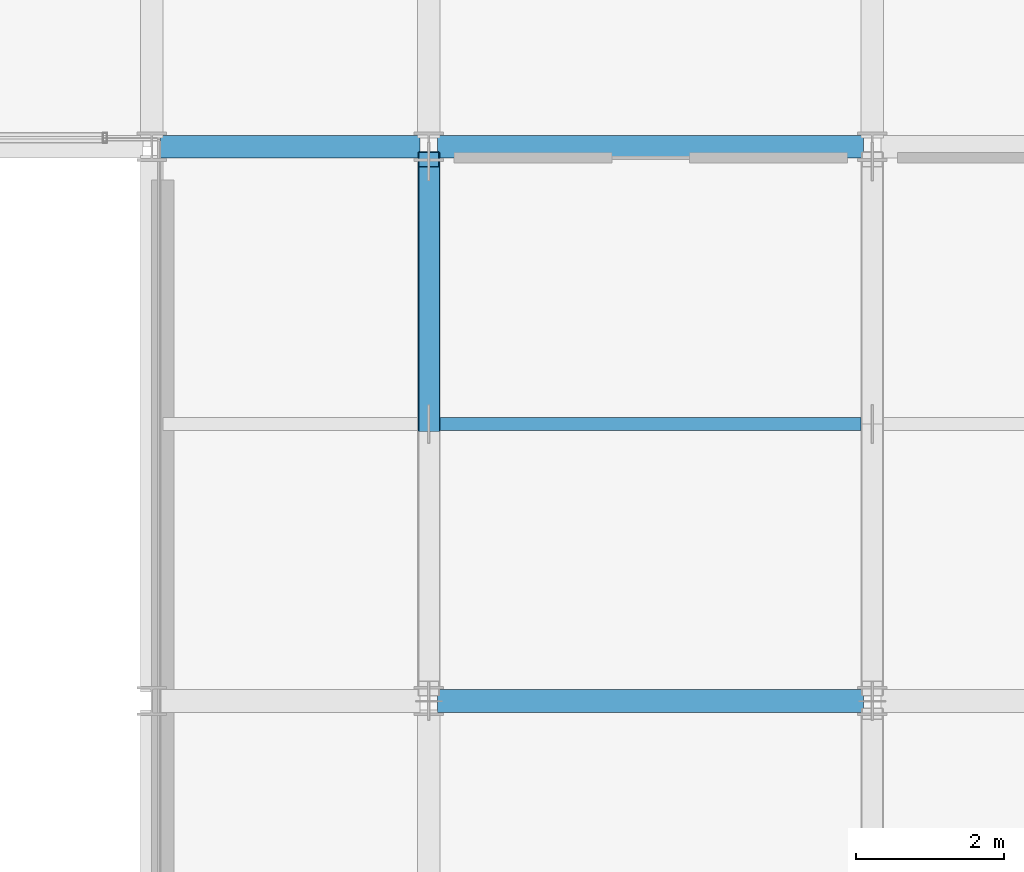
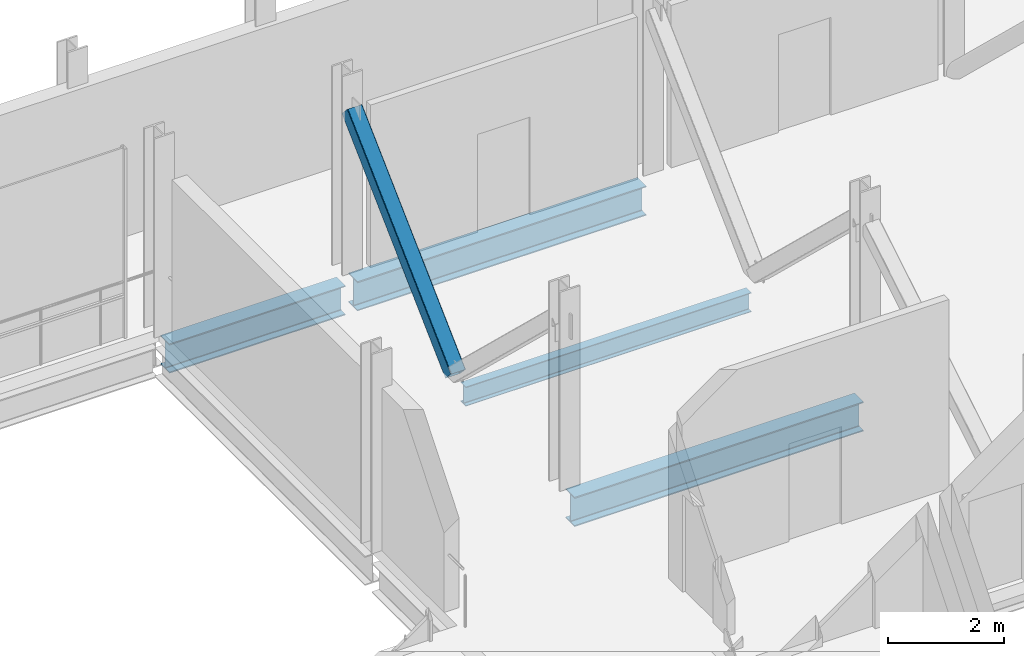
# One storey, part 19 of 33: 4 beams, 1 member.
"""IFC4 building model written with IfcOpenShell, lengths in metres."""

from ifc_helpers import new_model, si_unit, direction, frame, origin, origin_2d, place, context, subcontext, project, spatial, hollow_rectangle, i_section, extrude, material, material_profile, profile_set, type_object, element, save


model = new_model("IFC4")

# Units and contexts
model_context = context("Model", 3, precision=1e-05, world=origin(), true_north=direction((0.0, 1.0)))
body_context = subcontext(model_context, "Body", "Model", "MODEL_VIEW")
ifc_project = project(units=[si_unit("LENGTHUNIT", "METRE"), si_unit("AREAUNIT", "SQUARE_METRE"), si_unit("VOLUMEUNIT", "CUBIC_METRE"), si_unit("PLANEANGLEUNIT", "RADIAN"), si_unit("MASSUNIT", "GRAM", prefix="KILO")], contexts=[model_context])

# Site, building, storey
site_placement = place(None, origin())
site = spatial("IfcSite", under=ifc_project, at=site_placement, CompositionType="ELEMENT")
building_placement = place(site_placement, origin())
building = spatial("IfcBuilding", under=site, at=building_placement, Name="Brevholm Reach", CompositionType="ELEMENT")
storey_placement = place(building_placement, frame((0.0, 0.0, 179.0)))
storey = spatial("IfcBuildingStorey", under=building, at=storey_placement, Name="L54", CompositionType="ELEMENT", Elevation=179.0)

# Beams
ifc_material_1 = material(Name="Structural Steel S355J2", Category="steel")
ifc_material_profile_1 = material_profile(ifc_material_1, i_section(OverallWidth=0.177978515625, OverallDepth=0.406494140625, WebThickness=0.0078125, FlangeThickness=0.0126953125, FilletRadius=0.01025390625, at=origin_2d()), Name="UKB 406x178x60")
ifc_profile_set_1 = profile_set([ifc_material_profile_1], Name="Structural Steel S355J2")
beam_type_1 = type_object("IfcBeamType", Name="BM-B406", PredefinedType="BEAM", material=ifc_profile_set_1)
beam_1_placement = place(storey_placement, frame((42.153564453125, 19.75, -0.463134765625), z_axis=(1.0, 0.0, 0.0), x_axis=(0.0, 1.0, 0.0)))
element("IfcBeam", 1, at=beam_1_placement, inside=storey, type_object=beam_type_1, Name="L54 Composite Secondary Floor Beam", PredefinedType="BEAM", context=body_context, shape_type="SweptSolid", body=[
    extrude(i_section(OverallWidth=0.177978515625, OverallDepth=0.406494140625, WebThickness=0.0078125, FlangeThickness=0.0126953125, FilletRadius=0.01025390625, at=origin_2d()), origin(), (0.0, 0.0, 1.0), 5.69287109375),
])
ifc_material_2 = material(Name="Structural Steel S355J2", Category="steel")
ifc_material_profile_2 = material_profile(ifc_material_2, i_section(OverallWidth=0.30712890625, OverallDepth=0.6201171875, WebThickness=0.01416015625, FlangeThickness=0.023681640625, FilletRadius=0.0166015625, at=origin_2d()), Name="UKB 610x305x179")
ifc_profile_set_2 = profile_set([ifc_material_profile_2], Name="Structural Steel S355J2")
beam_type_2 = type_object("IfcBeamType", Name="BM-UKB610H", PredefinedType="USERDEFINED", material=ifc_profile_set_2)
beam_2_placement = place(storey_placement, frame((42.1201171875, 16.0, -0.570068359375), z_axis=(1.0, 0.0, 0.0), x_axis=(0.0, 1.0, 0.0)))
element("IfcBeam", 2, at=beam_2_placement, inside=storey, type_object=beam_type_2, Name="L54 G-06 Framing Beam", ObjectType="GIRDER", PredefinedType="USERDEFINED", context=body_context, shape_type="SweptSolid", body=[
    extrude(i_section(OverallWidth=0.30712890625, OverallDepth=0.6201171875, WebThickness=0.01416015625, FlangeThickness=0.023681640625, FilletRadius=0.0166015625, at=origin_2d()), origin(), (0.0, 0.0, 1.0), 5.759765625),
])
beam_3_placement = place(storey_placement, frame((38.3701171875, 23.5, -0.570068359375), z_axis=(1.0, 0.0, 0.0), x_axis=(0.0, 1.0, 0.0)))
element("IfcBeam", 3, at=beam_3_placement, inside=storey, type_object=beam_type_2, Name="L54 G-06 Framing Beam", ObjectType="GIRDER", PredefinedType="USERDEFINED", context=body_context, shape_type="SweptSolid", body=[
    extrude(i_section(OverallWidth=0.30712890625, OverallDepth=0.6201171875, WebThickness=0.01416015625, FlangeThickness=0.023681640625, FilletRadius=0.0166015625, at=origin_2d()), origin(), (0.0, 0.0, 1.0), 3.509765625),
])
beam_4_placement = place(storey_placement, frame((42.1201171875, 23.5, -0.570068359375), z_axis=(1.0, 0.0, 0.0), x_axis=(0.0, 1.0, 0.0)))
element("IfcBeam", 4, at=beam_4_placement, inside=storey, type_object=beam_type_2, Name="L54 G-06 Framing Beam", ObjectType="GIRDER", PredefinedType="USERDEFINED", context=body_context, shape_type="SweptSolid", body=[
    extrude(i_section(OverallWidth=0.30712890625, OverallDepth=0.6201171875, WebThickness=0.01416015625, FlangeThickness=0.023681640625, FilletRadius=0.0166015625, at=origin_2d()), origin(), (0.0, 0.0, 1.0), 5.759765625),
])

# Member
ifc_material_3 = material(Name="Structural Steel S460NH", Category="steel")
ifc_material_profile_3 = material_profile(ifc_material_3, hollow_rectangle(XDim=0.300048828125, YDim=0.300048828125, WallThickness=0.012451171875, InnerFilletRadius=0.011962890625, OuterFilletRadius=0.02392578125, at=origin_2d()), Name="SHS 300x300x12.5")
ifc_profile_set_3 = profile_set([ifc_material_profile_3], Name="Structural Steel S460NH")
member_type = type_object("IfcMemberType", Name="MEM-OB-SHS300", PredefinedType="BRACE", material=ifc_profile_set_3)
member_placement = place(storey_placement, frame((42.0, 19.75, 0.02001953125), z_axis=(0.0, 0.723539227798, 0.690283264927), x_axis=(-1.0, 0.0, 0.0)))
element("IfcMember", 5, at=member_placement, inside=storey, type_object=member_type, Name="L54 Outrigger Truss Diagonal X42.2", PredefinedType="BRACE", context=body_context, shape_type="SweptSolid", body=[
    extrude(hollow_rectangle(XDim=0.300048828125, YDim=0.300048828125, WallThickness=0.012451171875, InnerFilletRadius=0.011962890625, OuterFilletRadius=0.02392578125, at=origin_2d()), origin(), (0.0, 0.0, 1.0), 4.947998046875),
])

save(model, "model.ifc")
